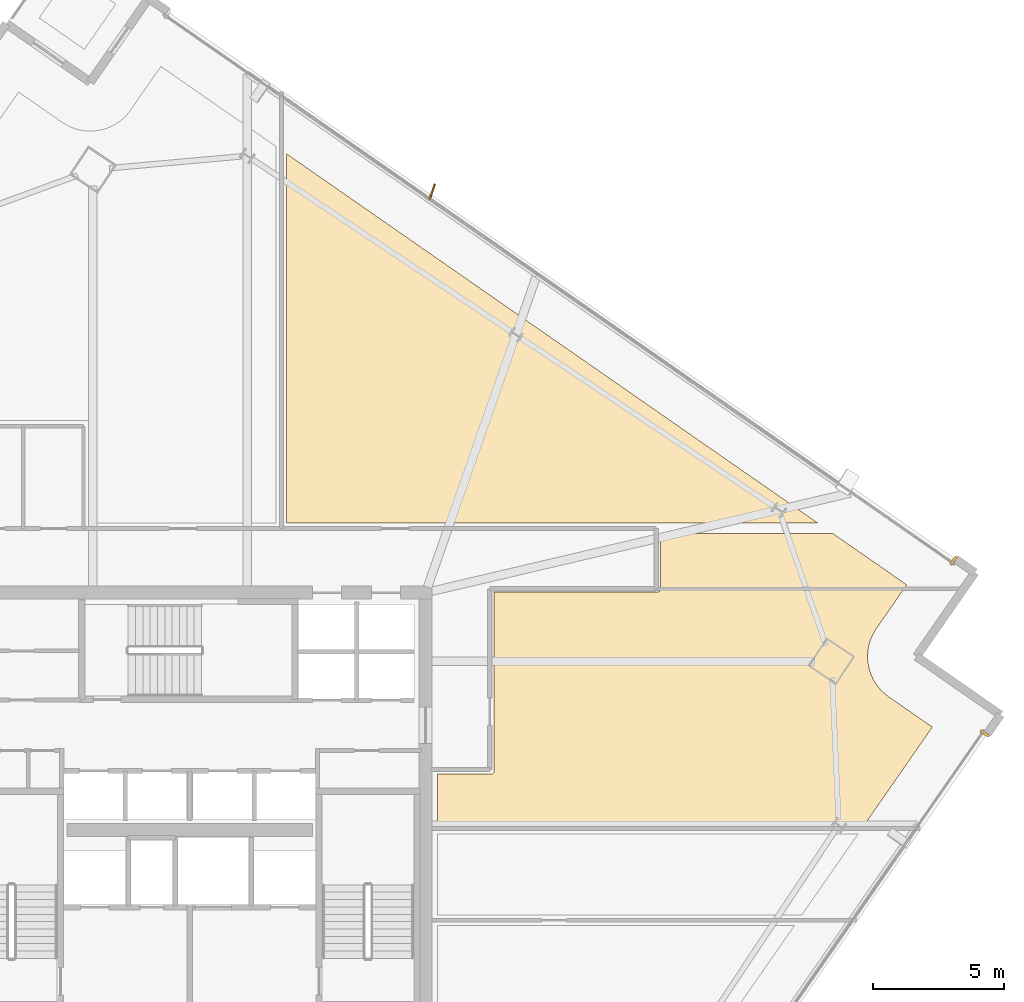
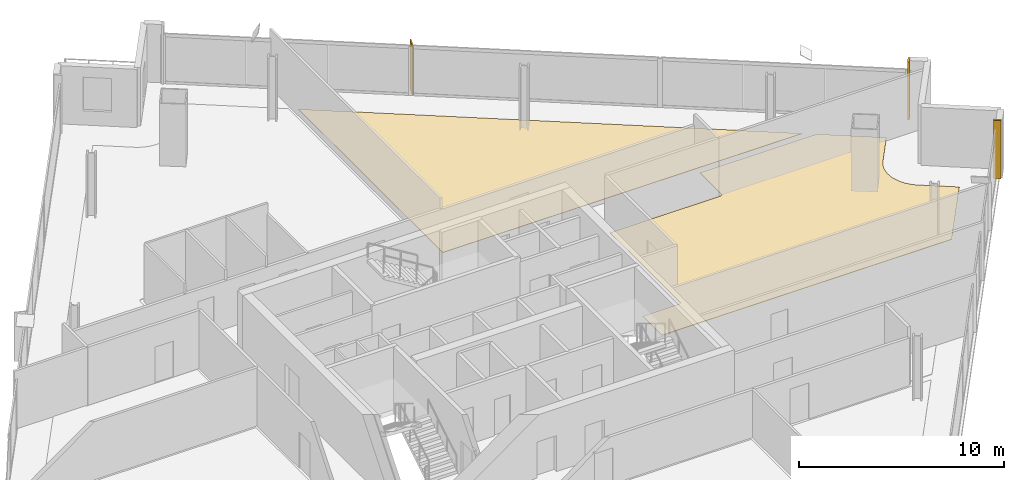
# One storey, part 30 of 30: 4 coverings, 1 shading device.
"""IFC4 building model written with IfcOpenShell, lengths in metres."""

from ifc_helpers import new_model, si_unit, direction, frame, origin, origin_2d, place, context, subcontext, project, spatial, polyline, rectangle, outline, extrude, source, transform, mapped, material, layer, layer_set, type_object, element, save


model = new_model("IFC4")

# Units and contexts
model_context = context("Model", 3, precision=1e-05, world=origin(), true_north=direction((0.0, 1.0)))
body_context = subcontext(model_context, "Body", "Model", "MODEL_VIEW")
ifc_project = project(units=[si_unit("LENGTHUNIT", "METRE"), si_unit("AREAUNIT", "SQUARE_METRE"), si_unit("VOLUMEUNIT", "CUBIC_METRE"), si_unit("PLANEANGLEUNIT", "RADIAN"), si_unit("MASSUNIT", "GRAM", prefix="KILO")], contexts=[model_context])

# Site, building, storey
site_placement = place(None, origin())
site = spatial("IfcSite", under=ifc_project, at=site_placement, CompositionType="ELEMENT")
building_placement = place(site_placement, origin())
building = spatial("IfcBuilding", under=site, at=building_placement, Name="Haldenkirk Collegiate Tower", CompositionType="ELEMENT")
storey_placement = place(building_placement, frame((0.0, 0.0, 213.449951171875)))
storey = spatial("IfcBuildingStorey", under=building, at=storey_placement, Name="L53", CompositionType="ELEMENT", Elevation=213.449951171875)

# Coverings
ifc_material_1 = material(Name="Polished collegiate terrazzo", Category="concrete")
ifc_layer_1 = layer(ifc_material_1, 0.02490234375)
ifc_layer_set_1 = layer_set([ifc_layer_1], Name="Polished collegiate terrazzo")
covering_type_1 = type_object("IfcCoveringType", Name="COV-FLOOR-TERRAZZO", PredefinedType="FLOORING", material=ifc_layer_set_1)
covering_1_placement = place(storey_placement, origin())
element("IfcCovering", 1, at=covering_1_placement, inside=storey, type_object=covering_type_1, Name="L53 academic room finish 06", PredefinedType="FLOORING", context=body_context, shape_type="SweptSolid", body=[
    extrude(outline(polyline([(59.978271484375, 36.64990234375), (39.699951171875, 36.64990234375), (39.699951171875, 50.743896484375), (59.978271484375, 36.64990234375)])), origin(), (0.0, 0.0, 1.0), 0.025146484375),
])
covering_2_placement = place(storey_placement, origin())
element("IfcCovering", 2, at=covering_2_placement, inside=storey, type_object=covering_type_1, Name="L53 academic room finish 12", PredefinedType="FLOORING", context=body_context, shape_type="SweptSolid", body=[
    extrude(outline(polyline([(62.20166015625, 32.6328125), (62.1982421875, 32.6279296875), (62.107421875, 32.482177734375), (62.1015625, 32.4716796875), (62.025390625, 32.31787109375), (62.020751953125, 32.30712890625), (61.9599609375, 32.146484375), (61.956298828125, 32.135498046875), (61.91162109375, 31.969482421875), (61.908935546875, 31.9580078125), (61.880615234375, 31.788818359375), (61.87939453125, 31.777099609375), (61.86767578125, 31.605712890625), (61.867431640625, 31.593994140625), (61.872802734375, 31.422119140625), (61.873779296875, 31.410400390625), (61.895751953125, 31.240234375), (61.89794921875, 31.228515625), (61.9365234375, 31.061279296875), (61.939697265625, 31.0498046875), (61.99462890625, 30.88720703125), (61.998779296875, 30.876220703125), (62.069580078125, 30.7197265625), (62.074951171875, 30.709228515625), (62.160400390625, 30.560302734375), (62.166748046875, 30.55029296875), (62.2666015625, 30.41064453125), (62.273681640625, 30.4013671875), (62.38671875, 30.27197265625), (62.39501953125, 30.263671875), (62.52001953125, 30.14599609375), (62.529052734375, 30.13818359375), (62.6650390625, 30.033447265625), (62.669921875, 30.030029296875), (64.3369140625, 28.871337890625), (61.78515625, 25.199951171875), (45.449951171875, 25.199951171875), (45.449951171875, 27.080078125), (47.5, 27.080078125), (47.51171875, 27.08056640625), (47.5234375, 27.082275390625), (47.534912109375, 27.085205078125), (47.5458984375, 27.089111328125), (47.556640625, 27.09423828125), (47.566650390625, 27.10009765625), (47.576171875, 27.107177734375), (47.5849609375, 27.114990234375), (47.5927734375, 27.123779296875), (47.599853515625, 27.13330078125), (47.605712890625, 27.143310546875), (47.61083984375, 27.154052734375), (47.61474609375, 27.165283203125), (47.61767578125, 27.176513671875), (47.619384765625, 27.188232421875), (47.6201171875, 27.199951171875), (47.6201171875, 34.030029296875), (53.85009765625, 34.030029296875), (53.86181640625, 34.030517578125), (53.873291015625, 34.0322265625), (53.884765625, 34.03515625), (53.89599609375, 34.0390625), (53.906494140625, 34.044189453125), (53.916748046875, 34.05029296875), (53.926025390625, 34.05712890625), (53.934814453125, 34.065185546875), (53.94287109375, 34.073974609375), (53.94970703125, 34.083251953125), (53.955810546875, 34.093505859375), (53.9609375, 34.10400390625), (53.96484375, 34.115234375), (53.9677734375, 34.126708984375), (53.969482421875, 34.13818359375), (53.969970703125, 34.14990234375), (53.969970703125, 36.25), (60.5537109375, 36.25), (63.360107421875, 34.299560546875), (62.20166015625, 32.6328125)])), origin(), (0.0, 0.0, 1.0), 0.025146484375),
])
ifc_material_2 = material(Name="Anodised architectural bronze aluminium", Category="aluminium")
ifc_layer_2 = layer(ifc_material_2, 0.06005859375)
ifc_layer_set_2 = layer_set([ifc_layer_2], Name="Anodised architectural bronze aluminium")
covering_type_2 = type_object("IfcCoveringType", Name="COV-CLAD-BRONZE-60", PredefinedType="CLADDING", material=ifc_layer_set_2)
shared_shape_1 = source(origin(), body_context, "Body", "SweptSolid", [
    extrude(rectangle(XDim=0.10009765625, YDim=0.3798828125, at=origin_2d()), origin(), (0.0, 0.0, 1.0), 3.469970703125),
])
for number, where, z_axis, x_axis, name in (
    (3, (66.3349609375, 28.62744140625, 0.0), (0.0, 0.0, 1.0), (-0.570713567684, -0.821149209134, 0.0), "L53 recessed curtain-wall bronze jamb closure SJL"),
    (4, (65.14794921875, 35.224609375, 0.0), (0.0, 0.0, 1.0), (0.821149209134, -0.570713567684, 0.0), "L53 recessed curtain-wall bronze jamb closure EJR"),
):
    element("IfcCovering", number, at=place(storey_placement, frame(where, z_axis=z_axis, x_axis=x_axis)), inside=storey, type_object=covering_type_2, Name=name, PredefinedType="CLADDING", context=body_context, shape_type="MappedRepresentation", body=[
        mapped(shared_shape_1, transform((0.0, 0.0, 0.0), x_axis=(1.0, 0.0, 0.0), y_axis=(0.0, 1.0, 0.0), z_axis=(0.0, 0.0, 1.0), scale=1.0)),
    ])

# Shading device
ifc_layer_3 = layer(ifc_material_2, 0.06494140625)
ifc_layer_set_3 = layer_set([ifc_layer_3], Name="Anodised architectural bronze aluminium")
shading_device_type = type_object("IfcShadingDeviceType", Name="SHD-FIN-BRONZE-620", PredefinedType="USERDEFINED", material=ifc_layer_set_3)
shared_shape_2 = source(origin(), body_context, "Body", "SweptSolid", [
    extrude(rectangle(XDim=0.6201171875, YDim=0.06494140625, at=origin_2d()), origin(), (0.0, 0.0, 1.0), 2.927978515625),
])
shading_device_placement = place(storey_placement, frame((45.25341796875, 49.301513671875, 0.0), z_axis=(0.0, 0.0, 1.0), x_axis=(0.322265695231, 0.946649260116, 0.0)))
element("IfcShadingDevice", 5, at=shading_device_placement, inside=storey, type_object=shading_device_type, Name="L53 folded bronze solar fin 1", ObjectType="FIN", PredefinedType="USERDEFINED", context=body_context, shape_type="MappedRepresentation", body=[
    mapped(shared_shape_2, transform((0.0, 0.0, 0.0), x_axis=(1.0, 0.0, 0.0), y_axis=(0.0, 1.0, 0.0), z_axis=(0.0, 0.0, 1.0), scale=1.0)),
])

save(model, "model.ifc")
